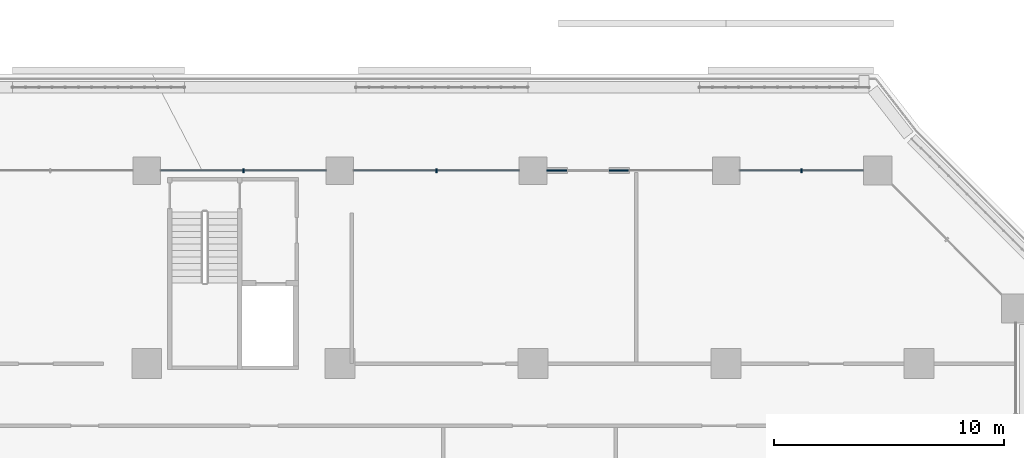
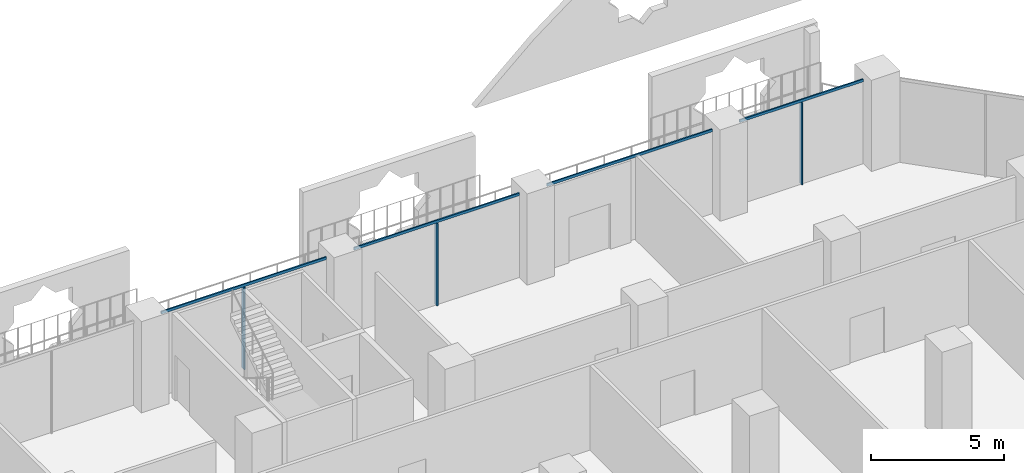
# One storey, part 9 of 27: 7 members, 1 element without a shape of its own.
"""IFC4 building model written with IfcOpenShell, lengths in metres."""

from ifc_helpers import new_model, si_unit, direction, frame, origin, origin_2d, place, context, subcontext, project, spatial, rectangle, extrude, material, layer, layer_set, material_profile, profile_set, type_object, element, aggregate, save


model = new_model("IFC4")

# Units and contexts
model_context = context("Model", 3, precision=1e-05, world=origin(), true_north=direction((0.0, 1.0)))
body_context = subcontext(model_context, "Body", "Model", "MODEL_VIEW")
ifc_project = project(units=[si_unit("LENGTHUNIT", "METRE"), si_unit("AREAUNIT", "SQUARE_METRE"), si_unit("VOLUMEUNIT", "CUBIC_METRE"), si_unit("PLANEANGLEUNIT", "RADIAN"), si_unit("MASSUNIT", "GRAM", prefix="KILO")], contexts=[model_context])

# Site, building, storey
site_placement = place(None, origin())
site = spatial("IfcSite", under=ifc_project, at=site_placement, CompositionType="ELEMENT")
building_placement = place(site_placement, origin())
building = spatial("IfcBuilding", under=site, at=building_placement, Name="Kawkab Arch Medical Tower", CompositionType="ELEMENT")
storey_placement = place(building_placement, frame((0.0, 0.0, 39.199951171875)))
storey = spatial("IfcBuildingStorey", under=building, at=storey_placement, Name="L08", CompositionType="ELEMENT", Elevation=39.199951171875)

# Curtain wall, members
ifc_material_1 = material(Name="Bronze anodised aluminium curtain wall frame", Category="aluminium")
ifc_layer = layer(ifc_material_1, 0.159912109375)
ifc_layer_set = layer_set([ifc_layer], Name="Bronze anodised aluminium curtain wall frame")
curtain_wall_type = type_object("IfcCurtainWallType", Name="CW1 ward curtain wall", PredefinedType="NOTDEFINED", material=ifc_layer_set)
curtain_wall_placement = place(storey_placement, origin())
curtain_wall = element("IfcCurtainWall", 1, at=curtain_wall_placement, inside=storey, type_object=curtain_wall_type, Name="CW1 Ward curtain wall R09", PredefinedType="NOTDEFINED")
ifc_material_2 = material(Name="Bronze anodised aluminium curtain wall frame", Category="aluminium")
ifc_material_profile_1 = material_profile(ifc_material_2, rectangle(XDim=0.179931640625, YDim=0.06005859375, at=origin_2d()), Name="AL 60x180")
ifc_profile_set_1 = profile_set([ifc_material_profile_1], Name="Bronze anodised aluminium curtain wall frame")
member_type_1 = type_object("IfcMemberType", Name="CW1 mullion 60 x 180", PredefinedType="MULLION", material=ifc_profile_set_1)
member_1_placement = place(storey_placement, frame((70.487548828125, 0.0, 0.0), z_axis=(0.0, 0.0, 1.0), x_axis=(0.0, -1.0, 0.0)))
member_1 = element("IfcMember", 2, at=member_1_placement, type_object=member_type_1, Name="CW1 mullion 1.1", PredefinedType="MULLION", context=body_context, shape_type="SweptSolid", body=[
    extrude(rectangle(XDim=0.179931640625, YDim=0.06005859375, at=origin_2d()), origin(), (0.0, 0.0, 1.0), 3.780029296875),
])
member_2_placement = place(storey_placement, frame((54.60009765625, 0.0, 0.0), z_axis=(0.0, 0.0, 1.0), x_axis=(0.0, -1.0, 0.0)))
member_2 = element("IfcMember", 3, at=member_2_placement, type_object=member_type_1, Name="CW1 mullion 3.1", PredefinedType="MULLION", context=body_context, shape_type="SweptSolid", body=[
    extrude(rectangle(XDim=0.179931640625, YDim=0.06005859375, at=origin_2d()), origin(), (0.0, 0.0, 1.0), 3.780029296875),
])
member_3_placement = place(storey_placement, frame((46.199951171875, 0.0, 0.0), z_axis=(0.0, 0.0, 1.0), x_axis=(0.0, -1.0, 0.0)))
member_3 = element("IfcMember", 4, at=member_3_placement, type_object=member_type_1, Name="CW1 mullion 4.1", PredefinedType="MULLION", context=body_context, shape_type="SweptSolid", body=[
    extrude(rectangle(XDim=0.179931640625, YDim=0.06005859375, at=origin_2d()), origin(), (0.0, 0.0, 1.0), 3.780029296875),
])
ifc_material_3 = material(Name="Bronze anodised aluminium curtain wall frame", Category="aluminium")
ifc_material_profile_2 = material_profile(ifc_material_3, rectangle(XDim=0.06005859375, YDim=0.1201171875, at=origin_2d()), Name="AL 60x120")
ifc_profile_set_2 = profile_set([ifc_material_profile_2], Name="Bronze anodised aluminium curtain wall frame")
member_type_2 = type_object("IfcMemberType", Name="CW1 transom 120 x 60", PredefinedType="USERDEFINED", material=ifc_profile_set_2)
member_4_placement = place(storey_placement, frame((73.175048828125, 0.0, 3.840087890625), z_axis=(-1.0, 0.0, 0.0), x_axis=(0.0, -1.0, 0.0)))
member_4 = element("IfcMember", 5, at=member_4_placement, type_object=member_type_2, Name="CW1 transom 1", ObjectType="TRANSOM", PredefinedType="USERDEFINED", context=body_context, shape_type="SweptSolid", body=[
    extrude(rectangle(XDim=0.06005859375, YDim=0.1201171875, at=origin_2d()), origin(), (0.0, 0.0, 1.0), 5.375),
])
member_5_placement = place(storey_placement, frame((66.60009765625, 0.0, 3.840087890625), z_axis=(-1.0, 0.0, 0.0), x_axis=(0.0, -1.0, 0.0)))
member_5 = element("IfcMember", 6, at=member_5_placement, type_object=member_type_2, Name="CW1 transom 2", ObjectType="TRANSOM", PredefinedType="USERDEFINED", context=body_context, shape_type="SweptSolid", body=[
    extrude(rectangle(XDim=0.06005859375, YDim=0.1201171875, at=origin_2d()), origin(), (0.0, 0.0, 1.0), 7.2001953125),
])
member_6_placement = place(storey_placement, frame((58.199951171875, 0.0, 3.840087890625), z_axis=(-1.0, 0.0, 0.0), x_axis=(0.0, -1.0, 0.0)))
member_6 = element("IfcMember", 7, at=member_6_placement, type_object=member_type_2, Name="CW1 transom 3", ObjectType="TRANSOM", PredefinedType="USERDEFINED", context=body_context, shape_type="SweptSolid", body=[
    extrude(rectangle(XDim=0.06005859375, YDim=0.1201171875, at=origin_2d()), origin(), (0.0, 0.0, 1.0), 7.199951171875),
])
member_7_placement = place(storey_placement, frame((49.800048828125, 0.0, 3.840087890625), z_axis=(-1.0, 0.0, 0.0), x_axis=(0.0, -1.0, 0.0)))
member_7 = element("IfcMember", 8, at=member_7_placement, type_object=member_type_2, Name="CW1 transom 4", ObjectType="TRANSOM", PredefinedType="USERDEFINED", context=body_context, shape_type="SweptSolid", body=[
    extrude(rectangle(XDim=0.06005859375, YDim=0.1201171875, at=origin_2d()), origin(), (0.0, 0.0, 1.0), 7.199951171875),
])
aggregate(curtain_wall, [member_4, member_1, member_5, member_6, member_2, member_7, member_3])

save(model, "model.ifc")
